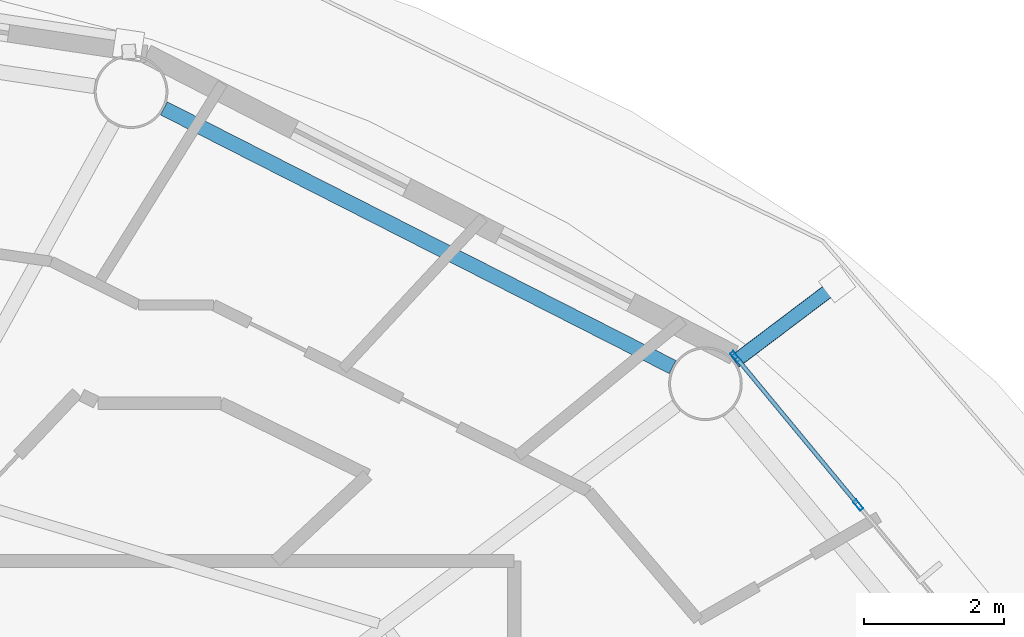
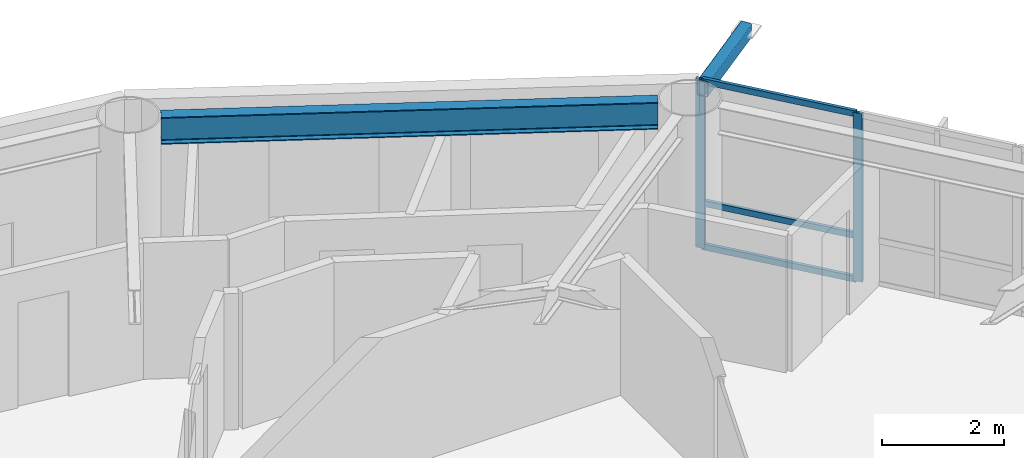
# One storey, part 11 of 23: 6 members, 1 beam, 1 element without a shape of its own.
"""IFC4 building model written with IfcOpenShell, lengths in metres."""

from ifc_helpers import new_model, si_unit, direction, frame, origin, origin_2d, place, context, subcontext, project, spatial, hollow_rectangle, i_section, extrude, material, layer, layer_set, material_profile, profile_set, type_object, element, aggregate, save


model = new_model("IFC4")

# Units and contexts
model_context = context("Model", 3, precision=1e-05, world=origin(), true_north=direction((0.0, 1.0)))
body_context = subcontext(model_context, "Body", "Model", "MODEL_VIEW")
ifc_project = project(units=[si_unit("LENGTHUNIT", "METRE"), si_unit("AREAUNIT", "SQUARE_METRE"), si_unit("VOLUMEUNIT", "CUBIC_METRE"), si_unit("PLANEANGLEUNIT", "RADIAN"), si_unit("MASSUNIT", "GRAM", prefix="KILO")], contexts=[model_context])

# Site, building, storey
site_placement = place(None, origin())
site = spatial("IfcSite", under=ifc_project, at=site_placement, CompositionType="ELEMENT")
building_placement = place(site_placement, origin())
building = spatial("IfcBuilding", under=site, at=building_placement, Name="Sarneth Arch Tower", CompositionType="ELEMENT")
storey_placement = place(building_placement, frame((0.0, 0.0, 238.800048828125)))
storey = spatial("IfcBuildingStorey", under=building, at=storey_placement, Name="L61", CompositionType="ELEMENT", Elevation=238.800048828125)

# Beam
ifc_material_1 = material(Name="Steel S355", Category="steel")
ifc_material_profile_1 = material_profile(ifc_material_1, i_section(OverallWidth=0.2109375, OverallDepth=0.5390625, WebThickness=0.01171875, FlangeThickness=0.018798828125, FilletRadius=0.01806640625, at=origin_2d()), Name="W530x109")
ifc_profile_set_1 = profile_set([ifc_material_profile_1], Name="Steel S355")
beam_type = type_object("IfcBeamType", Name="BM-RAD-530B", PredefinedType="BEAM", material=ifc_profile_set_1)
beam_placement = place(storey_placement, frame((65.50732421875, 55.814453125, 3.09033203125), z_axis=(-0.891368271482, 0.453279830342, 0.0), x_axis=(-0.453279830342, -0.891368271482, 0.0)))
element("IfcBeam", 1, at=beam_placement, inside=storey, type_object=beam_type, Name="L61 Perimeter spandrel beam 03", PredefinedType="BEAM", context=body_context, shape_type="SweptSolid", body=[
    extrude(i_section(OverallWidth=0.2109375, OverallDepth=0.5390625, WebThickness=0.01171875, FlangeThickness=0.018798828125, FilletRadius=0.01806640625, at=origin_2d()), origin(), (0.0, 0.0, 1.0), 8.1318359375),
])

# Curtain wall, members
ifc_material_2 = material(Name="Anodised aluminium Type AA25 and solar-control low-e laminated IGU", Category="aluminium")
ifc_layer = layer(ifc_material_2, 0.179931640625)
ifc_layer_set = layer_set([ifc_layer], Name="Anodised aluminium Type AA25 and solar-control low-e laminated IGU")
curtain_wall_type = type_object("IfcCurtainWallType", Name="CW-RES-HIGH", PredefinedType="NOTDEFINED", material=ifc_layer_set)
curtain_wall_placement = place(storey_placement, origin())
curtain_wall = element("IfcCurtainWall", 2, at=curtain_wall_placement, inside=storey, type_object=curtain_wall_type, Name="L61 Unitised curtain wall facet 02", PredefinedType="NOTDEFINED")
ifc_material_3 = material(Name="Anodised Aluminium 6063-T6", Category="aluminium")
ifc_material_profile_2 = material_profile(ifc_material_3, hollow_rectangle(XDim=0.06005859375, YDim=0.159912109375, WallThickness=0.00390625, at=origin_2d()), Name="AL-MULL-160x60x4")
ifc_profile_set_2 = profile_set([ifc_material_profile_2], Name="Anodised Aluminium 6063-T6")
member_type_1 = type_object("IfcMemberType", Name="CW-MULLION", PredefinedType="MULLION", material=ifc_profile_set_2)
member_1_placement = place(storey_placement, frame((68.15283203125, 53.84765625, 0.0), z_axis=(0.0, 0.0, 1.0), x_axis=(-0.770359245933, -0.637610094184, 0.0)))
member_1 = element("IfcMember", 3, at=member_1_placement, type_object=member_type_1, Name="CW-SYS-6 mullion 3", PredefinedType="MULLION", context=body_context, shape_type="SweptSolid", body=[
    extrude(hollow_rectangle(XDim=0.06005859375, YDim=0.159912109375, WallThickness=0.00390625, at=origin_2d()), origin(), (0.0, 0.0, 1.0), 3.35986328125),
])
member_2_placement = place(storey_placement, frame((66.401611328125, 55.96337890625, 0.0), z_axis=(0.0, 0.0, 1.0), x_axis=(-0.770359245933, -0.637610094184, 0.0)))
member_2 = element("IfcMember", 4, at=member_2_placement, type_object=member_type_1, Name="CW-SYS-6 mullion 4", PredefinedType="MULLION", context=body_context, shape_type="SweptSolid", body=[
    extrude(hollow_rectangle(XDim=0.06005859375, YDim=0.159912109375, WallThickness=0.00390625, at=origin_2d()), origin(), (0.0, 0.0, 1.0), 3.35986328125),
])
ifc_material_4 = material(Name="Anodised Aluminium 6063-T6", Category="aluminium")
ifc_material_profile_3 = material_profile(ifc_material_4, hollow_rectangle(XDim=0.06005859375, YDim=0.1201171875, WallThickness=0.00390625, at=origin_2d()), Name="AL-TRAN-120x60x4")
ifc_profile_set_3 = profile_set([ifc_material_profile_3], Name="Anodised Aluminium 6063-T6")
member_type_2 = type_object("IfcMemberType", Name="CW-TRANSOM", PredefinedType="USERDEFINED", material=ifc_profile_set_3)
member_3_placement = place(storey_placement, frame((68.1337890625, 53.87060546875, 0.030029296875), z_axis=(-0.637606765719, 0.770362000821, 0.0), x_axis=(-0.770362000821, -0.637606765719, 0.0)))
member_3 = element("IfcMember", 5, at=member_3_placement, type_object=member_type_2, Name="CW-SYS-6 transom 3.1", ObjectType="TRANSOM", PredefinedType="USERDEFINED", context=body_context, shape_type="SweptSolid", body=[
    extrude(hollow_rectangle(XDim=0.06005859375, YDim=0.1201171875, WallThickness=0.00390625, at=origin_2d()), origin(), (0.0, 0.0, 1.0), 2.686767578125),
])
member_4_placement = place(storey_placement, frame((68.1337890625, 53.87060546875, 0.89990234375), z_axis=(-0.637606765719, 0.770362000821, 0.0), x_axis=(-0.770362000821, -0.637606765719, 0.0)))
member_4 = element("IfcMember", 6, at=member_4_placement, type_object=member_type_2, Name="CW-SYS-6 transom 3.2", ObjectType="TRANSOM", PredefinedType="USERDEFINED", context=body_context, shape_type="SweptSolid", body=[
    extrude(hollow_rectangle(XDim=0.06005859375, YDim=0.1201171875, WallThickness=0.00390625, at=origin_2d()), origin(), (0.0, 0.0, 1.0), 2.686767578125),
])
member_5_placement = place(storey_placement, frame((68.1337890625, 53.87060546875, 3.329833984375), z_axis=(-0.637606765719, 0.770362000821, 0.0), x_axis=(-0.770362000821, -0.637606765719, 0.0)))
member_5 = element("IfcMember", 7, at=member_5_placement, type_object=member_type_2, Name="CW-SYS-6 transom 3.3", ObjectType="TRANSOM", PredefinedType="USERDEFINED", context=body_context, shape_type="SweptSolid", body=[
    extrude(hollow_rectangle(XDim=0.06005859375, YDim=0.1201171875, WallThickness=0.00390625, at=origin_2d()), origin(), (0.0, 0.0, 1.0), 2.686767578125),
])
aggregate(curtain_wall, [member_1, member_2, member_3, member_4, member_5])

# Member
ifc_material_5 = material(Name="Steel S355", Category="steel")
ifc_material_profile_4 = material_profile(ifc_material_5, hollow_rectangle(XDim=0.199951171875, YDim=0.300048828125, WallThickness=0.012451171875, InnerFilletRadius=0.018798828125, OuterFilletRadius=0.03125, at=origin_2d()), Name="RHS300x200x12.5")
ifc_profile_set_4 = profile_set([ifc_material_profile_4], Name="Steel S355")
member_type_3 = type_object("IfcMemberType", Name="MEM-CANT-STRUT", PredefinedType="STRUT", material=ifc_profile_set_4)
member_6_placement = place(storey_placement, frame((66.39404296875, 55.892822265625, 3.199951171875), z_axis=(0.79797717091, 0.602687675921, 0.0), x_axis=(-0.602687675921, 0.79797717091, 0.0)))
element("IfcMember", 8, at=member_6_placement, inside=storey, type_object=member_type_3, Name="L61 Balcony cantilever bracket 03", PredefinedType="STRUT", context=body_context, shape_type="SweptSolid", body=[
    extrude(hollow_rectangle(XDim=0.199951171875, YDim=0.300048828125, WallThickness=0.012451171875, InnerFilletRadius=0.018798828125, OuterFilletRadius=0.03125, at=origin_2d()), origin(), (0.0, 0.0, 1.0), 1.828857421875),
])

save(model, "model.ifc")
